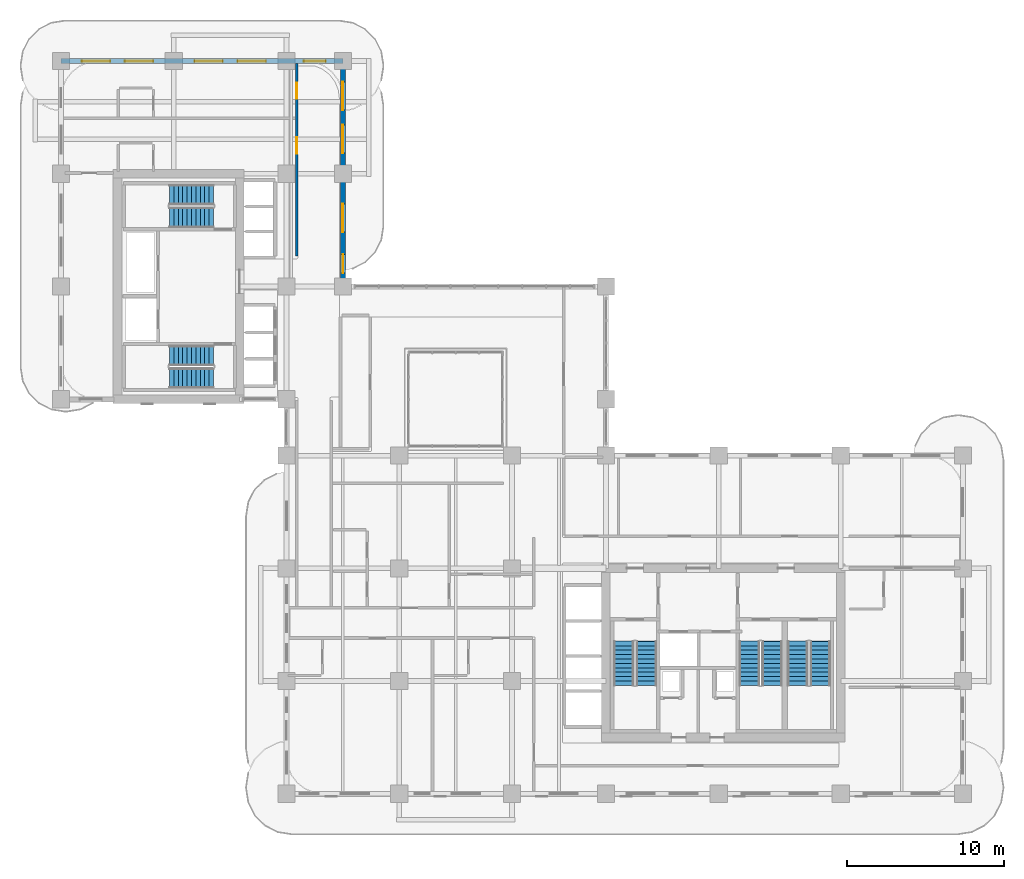
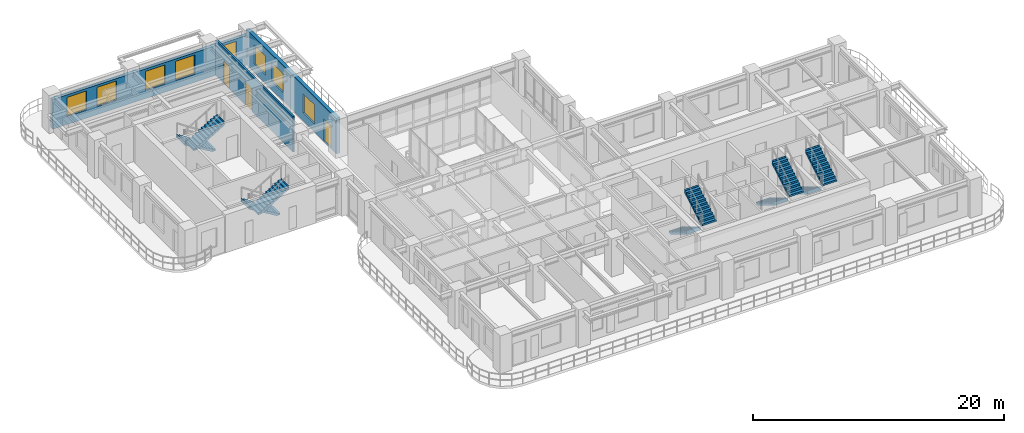
# One storey, part 17 of 22: 10 stair flights, 8 windows, 3 doors, 3 walls, 11 openings, 5 elements without a shape of their own.
"""IFC4 building model written with IfcOpenShell, lengths in metres."""

from ifc_helpers import new_model, si_unit, derived_unit, direction, frame, frame_2d, origin, place, context, subcontext, project, spatial, polyline, rectangle, outline, extrude, source, transform, mapped, material, layer, layer_set, type_object, type_shapes, element, fill, aggregate, save


model = new_model("IFC4")

# Units and contexts
model_context = context("Model", 3, precision=1e-05, world=origin(), true_north=direction((0.0, 1.0)))
body_context = subcontext(model_context, "Body", "Model", "MODEL_VIEW")
ifc_project = project(units=[si_unit("LENGTHUNIT", "METRE"), si_unit("AREAUNIT", "SQUARE_METRE"), si_unit("VOLUMEUNIT", "CUBIC_METRE"), si_unit("PLANEANGLEUNIT", "RADIAN"), si_unit("MASSUNIT", "GRAM", prefix="KILO"), si_unit("THERMODYNAMICTEMPERATUREUNIT", "KELVIN"), si_unit("POWERUNIT", "WATT"), derived_unit("THERMALTRANSMITTANCEUNIT", [(si_unit("POWERUNIT", "WATT"), 1), (si_unit("AREAUNIT", "SQUARE_METRE"), -1), (si_unit("THERMODYNAMICTEMPERATUREUNIT", "KELVIN"), -1)])], contexts=[model_context])

# Site, building, storey
site_placement = place(None, origin())
site = spatial("IfcSite", under=ifc_project, at=site_placement, CompositionType="ELEMENT")
building_placement = place(site_placement, origin())
building = spatial("IfcBuilding", under=site, at=building_placement, Name="Zahravan Archway Hotel and Residences", CompositionType="ELEMENT")
storey_placement = place(building_placement, frame((0.0, 0.0, 91.60009765625)))
storey = spatial("IfcBuildingStorey", under=building, at=storey_placement, Name="L22", CompositionType="ELEMENT", Elevation=91.60009765625)

# Wall, openings, windows
ifc_material_1 = material(Name="Agra Buff Sandstone & Insulated Backup", Category="masonry")
ifc_layer_1 = layer(ifc_material_1, 0.320068359375, Name="Agra Buff Sandstone & Insulated Backup", Category="masonry")
ifc_layer_set_1 = layer_set([ifc_layer_1], Name="Agra Buff Sandstone & Insulated Backup")
wall_type_1 = type_object("IfcWallType", Name="EW-SAND-320", PredefinedType="SOLIDWALL", material=ifc_layer_set_1)
wall_1_placement = place(storey_placement, frame((0.0, 46.800048828125, 0.0), z_axis=(0.0, 0.0, 1.0), x_axis=(1.0, 0.0, 0.0)))
wall_1 = element("IfcWall", 1, at=wall_1_placement, inside=storey, type_object=wall_type_1, Name="L22 Exterior Sandstone Wall WB-N", PredefinedType="SOLIDWALL", context=body_context, shape_type="SweptSolid", body=[
    extrude(rectangle(XDim=18.0, YDim=0.320068359375, at=frame_2d((9.0, 0.0))), origin(), (0.0, 0.0, 1.0), 2.885009765625),
])
opening_1_placement = place(wall_1_placement, frame((1.324951171875, 0.0, 0.800048828125)))
opening_1 = element("IfcOpeningElement", 2, at=opening_1_placement, cuts=wall_1, Name="Opening W-02", PredefinedType="OPENING", context=body_context, shape_type="SweptSolid", body=[
    extrude(rectangle(XDim=1.800048828125, YDim=1.85009765625, at=frame_2d((0.89990234375, 0.925048828125))), frame((0.0, 0.169921875, 0.0), z_axis=(0.0, -1.0, 0.0), x_axis=(1.0, 0.0, 0.0)), (0.0, 0.0, 1.0), 0.340087890625),
])
opening_2_placement = place(wall_1_placement, frame((4.074951171875, 0.0, 0.800048828125)))
opening_2 = element("IfcOpeningElement", 3, at=opening_2_placement, cuts=wall_1, Name="Opening W-02", PredefinedType="OPENING", context=body_context, shape_type="SweptSolid", body=[
    extrude(rectangle(XDim=1.800048828125, YDim=1.85009765625, at=frame_2d((0.89990234375, 0.925048828125))), frame((0.0, 0.169921875, 0.0), z_axis=(0.0, -1.0, 0.0), x_axis=(1.0, 0.0, 0.0)), (0.0, 0.0, 1.0), 0.340087890625),
])
opening_3_placement = place(wall_1_placement, frame((8.52490234375, 0.0, 0.800048828125)))
opening_3 = element("IfcOpeningElement", 4, at=opening_3_placement, cuts=wall_1, Name="Opening W-02", PredefinedType="OPENING", context=body_context, shape_type="SweptSolid", body=[
    extrude(rectangle(XDim=1.800048828125, YDim=1.85009765625, at=frame_2d((0.89990234375, 0.925048828125))), frame((0.0, 0.169921875, 0.0), z_axis=(0.0, -1.0, 0.0), x_axis=(1.0, 0.0, 0.0)), (0.0, 0.0, 1.0), 0.340087890625),
])
opening_4_placement = place(wall_1_placement, frame((11.27490234375, 0.0, 0.800048828125)))
opening_4 = element("IfcOpeningElement", 5, at=opening_4_placement, cuts=wall_1, Name="Opening W-02", PredefinedType="OPENING", context=body_context, shape_type="SweptSolid", body=[
    extrude(rectangle(XDim=1.800048828125, YDim=1.85009765625, at=frame_2d((0.89990234375, 0.925048828125))), frame((0.0, 0.169921875, 0.0), z_axis=(0.0, -1.0, 0.0), x_axis=(1.0, 0.0, 0.0)), (0.0, 0.0, 1.0), 0.340087890625),
])
opening_5_placement = place(wall_1_placement, frame((15.5, 0.0, 0.800048828125)))
opening_5 = element("IfcOpeningElement", 6, at=opening_5_placement, cuts=wall_1, Name="Opening W-03", PredefinedType="OPENING", context=body_context, shape_type="SweptSolid", body=[
    extrude(rectangle(XDim=1.39990234375, YDim=1.85009765625, at=frame_2d((0.699951171875, 0.925048828125))), frame((0.0, 0.169921875, 0.0), z_axis=(0.0, -1.0, 0.0), x_axis=(1.0, 0.0, 0.0)), (0.0, 0.0, 1.0), 0.340087890625),
])
ifc_material_2 = material(Name="Bronze-Anodized Thermal-Break Aluminium & Low-E Glass", Category="aluminium")
window_type_1 = type_object("IfcWindowType", Name="WIN-TWR-1400", PartitioningType="SINGLE_PANEL", PredefinedType="WINDOW", material=ifc_material_2)
shared_shape_1 = source(origin(), body_context, "Body", "SweptSolid", [
    extrude(rectangle(XDim=1.39990234375, YDim=1.85009765625, at=frame_2d((0.699951171875, 0.925048828125))), frame((0.0, 0.030029296875, 0.0), z_axis=(0.0, -1.0, 0.0), x_axis=(1.0, 0.0, 0.0)), (0.0, 0.0, 1.0), 0.06005859375),
])
type_shapes(window_type_1, [shared_shape_1])
window_1_placement = place(opening_5_placement, origin())
window_1 = element("IfcWindow", 7, at=window_1_placement, inside=storey, type_object=window_type_1, Name="L22 Loggia Window 37", OverallHeight=1.85009765625, OverallWidth=1.39990234375, PartitioningType="SINGLE_PANEL", PredefinedType="WINDOW", context=body_context, shape_type="MappedRepresentation", body=[
    mapped(shared_shape_1, transform((0.0, 0.0, 0.0), scale=1.0)),
])
fill(opening_5, window_1)
window_type_2 = type_object("IfcWindowType", Name="WIN-TWR-1800", PartitioningType="DOUBLE_PANEL_VERTICAL", PredefinedType="WINDOW", material=ifc_material_2)
shared_shape_2 = source(origin(), body_context, "Body", "SweptSolid", [
    extrude(rectangle(XDim=1.800048828125, YDim=1.85009765625, at=frame_2d((0.89990234375, 0.925048828125))), frame((0.0, 0.030029296875, 0.0), z_axis=(0.0, -1.0, 0.0), x_axis=(1.0, 0.0, 0.0)), (0.0, 0.0, 1.0), 0.06005859375),
])
type_shapes(window_type_2, [shared_shape_2])
window_2_placement = place(opening_1_placement, origin())
window_2 = element("IfcWindow", 8, at=window_2_placement, inside=storey, type_object=window_type_2, Name="L22 Loggia Window 33", OverallHeight=1.85009765625, OverallWidth=1.800048828125, PartitioningType="DOUBLE_PANEL_VERTICAL", PredefinedType="WINDOW", context=body_context, shape_type="MappedRepresentation", body=[
    mapped(shared_shape_2, transform((0.0, 0.0, 0.0), scale=1.0)),
])
fill(opening_1, window_2)
window_3_placement = place(opening_2_placement, origin())
window_3 = element("IfcWindow", 9, at=window_3_placement, inside=storey, type_object=window_type_2, Name="L22 Loggia Window 34", OverallHeight=1.85009765625, OverallWidth=1.800048828125, PartitioningType="DOUBLE_PANEL_VERTICAL", PredefinedType="WINDOW", context=body_context, shape_type="MappedRepresentation", body=[
    mapped(shared_shape_2, transform((0.0, 0.0, 0.0), scale=1.0)),
])
fill(opening_2, window_3)
window_4_placement = place(opening_3_placement, origin())
window_4 = element("IfcWindow", 10, at=window_4_placement, inside=storey, type_object=window_type_2, Name="L22 Loggia Window 35", OverallHeight=1.85009765625, OverallWidth=1.800048828125, PartitioningType="DOUBLE_PANEL_VERTICAL", PredefinedType="WINDOW", context=body_context, shape_type="MappedRepresentation", body=[
    mapped(shared_shape_2, transform((0.0, 0.0, 0.0), scale=1.0)),
])
fill(opening_3, window_4)
window_5_placement = place(opening_4_placement, origin())
window_5 = element("IfcWindow", 11, at=window_5_placement, inside=storey, type_object=window_type_2, Name="L22 Loggia Window 36", OverallHeight=1.85009765625, OverallWidth=1.800048828125, PartitioningType="DOUBLE_PANEL_VERTICAL", PredefinedType="WINDOW", context=body_context, shape_type="MappedRepresentation", body=[
    mapped(shared_shape_2, transform((0.0, 0.0, 0.0), scale=1.0)),
])
fill(opening_4, window_5)

# Wall, openings, door, windows
wall_2_placement = place(storey_placement, frame((18.0, 32.39990234375, 0.0), z_axis=(0.0, 0.0, 1.0), x_axis=(0.0, 1.0, 0.0)))
wall_2 = element("IfcWall", 12, at=wall_2_placement, inside=storey, type_object=wall_type_1, Name="L22 Exterior Sandstone Wall WB-EU", PredefinedType="SOLIDWALL", context=body_context, shape_type="SweptSolid", body=[
    extrude(rectangle(XDim=14.35009765625, YDim=0.320068359375, at=frame_2d((7.175048828125, 0.0))), origin(), (0.0, 0.0, 1.0), 3.449951171875),
])
opening_6_placement = place(wall_2_placement, frame((0.85009765625, 0.0, 0.0)))
opening_6 = element("IfcOpeningElement", 13, at=opening_6_placement, cuts=wall_2, Name="Opening ED-BL1", PredefinedType="OPENING", context=body_context, shape_type="SweptSolid", body=[
    extrude(rectangle(XDim=1.199951171875, YDim=2.199951171875, at=frame_2d((0.60009765625, 1.10009765625))), frame((0.0, 0.169921875, 0.0), z_axis=(0.0, -1.0, 0.0), x_axis=(1.0, 0.0, 0.0)), (0.0, 0.0, 1.0), 0.340087890625),
])
opening_7_placement = place(wall_2_placement, frame((3.47509765625, 0.0, 0.800048828125)))
opening_7 = element("IfcOpeningElement", 14, at=opening_7_placement, cuts=wall_2, Name="Opening W-02", PredefinedType="OPENING", context=body_context, shape_type="SweptSolid", body=[
    extrude(rectangle(XDim=1.800048828125, YDim=1.85009765625, at=frame_2d((0.89990234375, 0.925048828125))), frame((0.0, 0.169921875, 0.0), z_axis=(0.0, -1.0, 0.0), x_axis=(1.0, 0.0, 0.0)), (0.0, 0.0, 1.0), 0.340087890625),
])
opening_8_placement = place(wall_2_placement, frame((8.52490234375, 0.0, 0.800048828125)))
opening_8 = element("IfcOpeningElement", 15, at=opening_8_placement, cuts=wall_2, Name="Opening W-02", PredefinedType="OPENING", context=body_context, shape_type="SweptSolid", body=[
    extrude(rectangle(XDim=1.800048828125, YDim=1.85009765625, at=frame_2d((0.89990234375, 0.925048828125))), frame((0.0, 0.169921875, 0.0), z_axis=(0.0, -1.0, 0.0), x_axis=(1.0, 0.0, 0.0)), (0.0, 0.0, 1.0), 0.340087890625),
])
opening_9_placement = place(wall_2_placement, frame((11.27490234375, 0.0, 0.800048828125)))
opening_9 = element("IfcOpeningElement", 16, at=opening_9_placement, cuts=wall_2, Name="Opening W-02", PredefinedType="OPENING", context=body_context, shape_type="SweptSolid", body=[
    extrude(rectangle(XDim=1.800048828125, YDim=1.85009765625, at=frame_2d((0.89990234375, 0.925048828125))), frame((0.0, 0.169921875, 0.0), z_axis=(0.0, -1.0, 0.0), x_axis=(1.0, 0.0, 0.0)), (0.0, 0.0, 1.0), 0.340087890625),
])
ifc_material_3 = material(Name="Bronze-Anodized Glazed Aluminium", Category="aluminium")
door_type_1 = type_object("IfcDoorType", Name="ED-BALC-1200", OperationType="SLIDING_TO_LEFT", PredefinedType="DOOR", material=ifc_material_3)
shared_shape_3 = source(origin(), body_context, "Body", "SweptSolid", [
    extrude(rectangle(XDim=1.199951171875, YDim=2.199951171875, at=frame_2d((0.60009765625, 1.10009765625))), frame((0.0, 0.02490234375, 0.0), z_axis=(0.0, -1.0, 0.0), x_axis=(1.0, 0.0, 0.0)), (0.0, 0.0, 1.0), 0.050048828125),
])
type_shapes(door_type_1, [shared_shape_3])
door_1_placement = place(opening_6_placement, origin())
door_1 = element("IfcDoor", 17, at=door_1_placement, inside=storey, type_object=door_type_1, Name="L22 Outdoor Access Sliding Door (SLB-BAL-L22-EB)", OperationType="SLIDING_TO_LEFT", OverallHeight=2.199951171875, OverallWidth=1.199951171875, PredefinedType="DOOR", context=body_context, shape_type="MappedRepresentation", body=[
    mapped(shared_shape_3, transform((0.0, 0.0, 0.0), scale=1.0)),
])
fill(opening_6, door_1)
window_6_placement = place(opening_7_placement, origin())
window_6 = element("IfcWindow", 18, at=window_6_placement, inside=storey, type_object=window_type_2, Name="L22 Loggia Window 38", OverallHeight=1.85009765625, OverallWidth=1.800048828125, PartitioningType="DOUBLE_PANEL_VERTICAL", PredefinedType="WINDOW", context=body_context, shape_type="MappedRepresentation", body=[
    mapped(shared_shape_2, transform((0.0, 0.0, 0.0), scale=1.0)),
])
fill(opening_7, window_6)
window_7_placement = place(opening_8_placement, origin())
window_7 = element("IfcWindow", 19, at=window_7_placement, inside=storey, type_object=window_type_2, Name="L22 Loggia Window 39", OverallHeight=1.85009765625, OverallWidth=1.800048828125, PartitioningType="DOUBLE_PANEL_VERTICAL", PredefinedType="WINDOW", context=body_context, shape_type="MappedRepresentation", body=[
    mapped(shared_shape_2, transform((0.0, 0.0, 0.0), scale=1.0)),
])
fill(opening_8, window_7)
window_8_placement = place(opening_9_placement, origin())
window_8 = element("IfcWindow", 20, at=window_8_placement, inside=storey, type_object=window_type_2, Name="L22 Loggia Window 40", OverallHeight=1.85009765625, OverallWidth=1.800048828125, PartitioningType="DOUBLE_PANEL_VERTICAL", PredefinedType="WINDOW", context=body_context, shape_type="MappedRepresentation", body=[
    mapped(shared_shape_2, transform((0.0, 0.0, 0.0), scale=1.0)),
])
fill(opening_9, window_8)

# Wall, openings, doors
ifc_material_4 = material(Name="Fire-Rated Gypsum & Concrete Block", Category="concrete")
ifc_layer_2 = layer(ifc_material_4, 0.159912109375, Name="Fire-Rated Gypsum & Concrete Block", Category="concrete")
ifc_layer_set_2 = layer_set([ifc_layer_2], Name="Fire-Rated Gypsum & Concrete Block")
wall_type_2 = type_object("IfcWallType", Name="PW-CORR-160", PredefinedType="PARTITIONING", material=ifc_layer_set_2)
wall_3_placement = place(storey_placement, frame((15.050048828125, 34.340087890625, 0.0), z_axis=(0.0, 0.0, 1.0), x_axis=(0.0, 1.0, 0.0)))
wall_3 = element("IfcWall", 21, at=wall_3_placement, inside=storey, type_object=wall_type_2, Name="L22 Partition WBN-C", PredefinedType="PARTITIONING", context=body_context, shape_type="SweptSolid", body=[
    extrude(rectangle(XDim=12.2919921875, YDim=0.159912109375, at=frame_2d((6.14599609375, 0.0))), origin(), (0.0, 0.0, 1.0), 3.449951171875),
])
opening_10_placement = place(wall_3_placement, frame((6.534912109375, 0.0, 0.0)))
opening_10 = element("IfcOpeningElement", 22, at=opening_10_placement, cuts=wall_3, Name="Opening D-U1", PredefinedType="OPENING", context=body_context, shape_type="SweptSolid", body=[
    extrude(rectangle(XDim=1.050048828125, YDim=2.25, at=frame_2d((0.52490234375, 1.125))), frame((0.0, 0.08984375, 0.0), z_axis=(0.0, -1.0, 0.0), x_axis=(1.0, 0.0, 0.0)), (0.0, 0.0, 1.0), 0.179931640625),
])
opening_11_placement = place(wall_3_placement, frame((10.06005859375, 0.0, 0.0)))
opening_11 = element("IfcOpeningElement", 23, at=opening_11_placement, cuts=wall_3, Name="Opening D-U2", PredefinedType="OPENING", context=body_context, shape_type="SweptSolid", body=[
    extrude(rectangle(XDim=1.0, YDim=2.199951171875, at=frame_2d((0.5, 1.10009765625))), frame((0.0, 0.08984375, 0.0), z_axis=(0.0, -1.0, 0.0), x_axis=(1.0, 0.0, 0.0)), (0.0, 0.0, 1.0), 0.179931640625),
])
ifc_material_5 = material(Name="Hardwood Veneer Timber", Category="wood")
door_type_2 = type_object("IfcDoorType", Name="ID-UNIT-1050", OperationType="NOTDEFINED", PredefinedType="DOOR", material=ifc_material_5)
shared_shape_4 = source(origin(), body_context, "Body", "SweptSolid", [
    extrude(rectangle(XDim=1.050048828125, YDim=2.25, at=frame_2d((0.52490234375, 1.125))), frame((0.0, 0.02490234375, 0.0), z_axis=(0.0, -1.0, 0.0), x_axis=(1.0, 0.0, 0.0)), (0.0, 0.0, 1.0), 0.050048828125),
])
type_shapes(door_type_2, [shared_shape_4])
door_2_placement = place(opening_10_placement, origin())
door_2 = element("IfcDoor", 24, at=door_2_placement, inside=storey, type_object=door_type_2, Name="L22 Hotel Guestroom 76 Entrance Door", OperationType="SINGLE_SWING_RIGHT", OverallHeight=2.25, OverallWidth=1.050048828125, PredefinedType="DOOR", context=body_context, shape_type="MappedRepresentation", body=[
    mapped(shared_shape_4, transform((0.0, 0.0, 0.0), scale=1.0)),
])
fill(opening_10, door_2)
door_type_3 = type_object("IfcDoorType", Name="ID-UNIT-1000", OperationType="NOTDEFINED", PredefinedType="DOOR", material=ifc_material_5)
shared_shape_5 = source(origin(), body_context, "Body", "SweptSolid", [
    extrude(rectangle(XDim=1.0, YDim=2.199951171875, at=frame_2d((0.5, 1.10009765625))), frame((0.0, 0.02490234375, 0.0), z_axis=(0.0, -1.0, 0.0), x_axis=(1.0, 0.0, 0.0)), (0.0, 0.0, 1.0), 0.050048828125),
])
type_shapes(door_type_3, [shared_shape_5])
door_3_placement = place(opening_11_placement, origin())
door_3 = element("IfcDoor", 25, at=door_3_placement, inside=storey, type_object=door_type_3, Name="L22 Hotel Guestroom 77 Entrance Door", OperationType="SINGLE_SWING_LEFT", OverallHeight=2.199951171875, OverallWidth=1.0, PredefinedType="DOOR", context=body_context, shape_type="MappedRepresentation", body=[
    mapped(shared_shape_5, transform((0.0, 0.0, 0.0), scale=1.0)),
])
fill(opening_11, door_3)

# Stair, stair flights
ifc_material_6 = material(Name="Concrete C50/60", Category="concrete")
stair_type = type_object("IfcStairType", Name="STR-CORE-1300", PredefinedType="HALF_TURN_STAIR", material=ifc_material_6)
stair_1_placement = place(storey_placement, origin())
stair_1 = element("IfcStair", 26, at=stair_1_placement, inside=storey, type_object=stair_type, Name="L22 Core A Exit Stair 1", PredefinedType="HALF_TURN_STAIR")
ifc_layer_3 = layer(ifc_material_6, 0.199951171875, Name="Concrete C50/60", Category="concrete")
ifc_layer_set_3 = layer_set([ifc_layer_3], Name="Concrete C50/60")
stair_flight_type = type_object("IfcStairFlightType", Name="SFL-CORE-1300", PredefinedType="STRAIGHT", material=ifc_layer_set_3)
shared_shape_6 = source(origin(), body_context, "Body", "SweptSolid", [
    extrude(outline(polyline([(-0.01611328125, 0.0), (-0.01611328125, 0.168212890625), (0.280029296875, 0.168212890625), (0.280029296875, 0.33642578125), (0.56005859375, 0.33642578125), (0.56005859375, 0.504638671875), (0.840087890625, 0.504638671875), (0.840087890625, 0.672607421875), (1.1201171875, 0.672607421875), (1.1201171875, 0.8408203125), (1.39990234375, 0.8408203125), (1.39990234375, 1.009033203125), (1.679931640625, 1.009033203125), (1.679931640625, 1.17724609375), (1.9599609375, 1.17724609375), (1.9599609375, 1.345458984375), (2.239990234375, 1.345458984375), (2.239990234375, 1.513671875), (2.52001953125, 1.513671875), (2.52001953125, 1.681884765625), (2.800048828125, 1.681884765625), (2.800048828125, 1.85009765625), (2.816162109375, 1.85009765625), (2.816162109375, 1.5068359375), (0.291015625, 0.0), (-0.01611328125, 0.0)])), frame((0.0, 0.64990234375, 0.0), z_axis=(0.0, -1.0, 0.0), x_axis=(1.0, 0.0, 0.0)), (0.0, 0.0, 1.0), 1.300048828125),
])
stair_flight_1_placement = place(storey_placement, frame((35.949951171875, 9.72998046875, 0.0), z_axis=(0.0, 0.0, 1.0), x_axis=(0.0, -1.0, 0.0)))
stair_flight_1 = element("IfcStairFlight", 27, at=stair_flight_1_placement, type_object=stair_flight_type, Name="ST-A1 flight 1", NumberOfRisers=11, NumberOfTreads=10, PredefinedType="STRAIGHT", RiserHeight=0.168181818, TreadLength=0.28, context=body_context, shape_type="MappedRepresentation", body=[
    mapped(shared_shape_6, transform((0.0, 0.0, 0.0), scale=1.0)),
])
stair_flight_2_placement = place(storey_placement, frame((37.389892578125, 6.929931640625, 1.849853515625), z_axis=(0.0, 0.0, 1.0), x_axis=(0.0, 1.0, 0.0)))
stair_flight_2 = element("IfcStairFlight", 28, at=stair_flight_2_placement, type_object=stair_flight_type, Name="ST-A1 flight 2", NumberOfRisers=11, NumberOfTreads=10, PredefinedType="STRAIGHT", RiserHeight=0.168181818, TreadLength=0.28, context=body_context, shape_type="MappedRepresentation", body=[
    mapped(shared_shape_6, transform((0.0, 0.0, 0.0), scale=1.0)),
])
aggregate(stair_1, [stair_flight_1, stair_flight_2])

stair_2_placement = place(storey_placement, origin())
stair_2 = element("IfcStair", 29, at=stair_2_placement, inside=storey, type_object=stair_type, Name="L22 Core A Exit Stair 2", PredefinedType="HALF_TURN_STAIR")
stair_flight_3_placement = place(storey_placement, frame((43.969970703125, 9.72998046875, 0.0), z_axis=(0.0, 0.0, 1.0), x_axis=(0.0, -1.0, 0.0)))
stair_flight_3 = element("IfcStairFlight", 30, at=stair_flight_3_placement, type_object=stair_flight_type, Name="ST-A2 flight 1", NumberOfRisers=11, NumberOfTreads=10, PredefinedType="STRAIGHT", RiserHeight=0.168181818, TreadLength=0.28, context=body_context, shape_type="MappedRepresentation", body=[
    mapped(shared_shape_6, transform((0.0, 0.0, 0.0), scale=1.0)),
])
stair_flight_4_placement = place(storey_placement, frame((45.409912109375, 6.929931640625, 1.849853515625), z_axis=(0.0, 0.0, 1.0), x_axis=(0.0, 1.0, 0.0)))
stair_flight_4 = element("IfcStairFlight", 31, at=stair_flight_4_placement, type_object=stair_flight_type, Name="ST-A2 flight 2", NumberOfRisers=11, NumberOfTreads=10, PredefinedType="STRAIGHT", RiserHeight=0.168181818, TreadLength=0.28, context=body_context, shape_type="MappedRepresentation", body=[
    mapped(shared_shape_6, transform((0.0, 0.0, 0.0), scale=1.0)),
])
aggregate(stair_2, [stair_flight_3, stair_flight_4])

stair_3_placement = place(storey_placement, origin())
stair_3 = element("IfcStair", 32, at=stair_3_placement, inside=storey, type_object=stair_type, Name="L22 Core A Exit Stair 3", PredefinedType="HALF_TURN_STAIR")
stair_flight_5_placement = place(storey_placement, frame((47.050048828125, 9.72998046875, 0.0), z_axis=(0.0, 0.0, 1.0), x_axis=(0.0, -1.0, 0.0)))
stair_flight_5 = element("IfcStairFlight", 33, at=stair_flight_5_placement, type_object=stair_flight_type, Name="ST-A3 flight 1", NumberOfRisers=11, NumberOfTreads=10, PredefinedType="STRAIGHT", RiserHeight=0.168181818, TreadLength=0.28, context=body_context, shape_type="MappedRepresentation", body=[
    mapped(shared_shape_6, transform((0.0, 0.0, 0.0), scale=1.0)),
])
stair_flight_6_placement = place(storey_placement, frame((48.489990234375, 6.929931640625, 1.849853515625), z_axis=(0.0, 0.0, 1.0), x_axis=(0.0, 1.0, 0.0)))
stair_flight_6 = element("IfcStairFlight", 34, at=stair_flight_6_placement, type_object=stair_flight_type, Name="ST-A3 flight 2", NumberOfRisers=11, NumberOfTreads=10, PredefinedType="STRAIGHT", RiserHeight=0.168181818, TreadLength=0.28, context=body_context, shape_type="MappedRepresentation", body=[
    mapped(shared_shape_6, transform((0.0, 0.0, 0.0), scale=1.0)),
])
aggregate(stair_3, [stair_flight_5, stair_flight_6])

stair_4_placement = place(storey_placement, origin())
stair_4 = element("IfcStair", 35, at=stair_4_placement, inside=storey, type_object=stair_type, Name="L22 Core B Exit Stair 1", PredefinedType="HALF_TURN_STAIR")
stair_flight_7_placement = place(storey_placement, frame((9.72998046875, 27.989990234375, 0.0), z_axis=(0.0, 0.0, 1.0), x_axis=(-1.0, 0.0, 0.0)))
stair_flight_7 = element("IfcStairFlight", 36, at=stair_flight_7_placement, type_object=stair_flight_type, Name="ST-B1 flight 1", NumberOfRisers=11, NumberOfTreads=10, PredefinedType="STRAIGHT", RiserHeight=0.168181818, TreadLength=0.28, context=body_context, shape_type="MappedRepresentation", body=[
    mapped(shared_shape_6, transform((0.0, 0.0, 0.0), scale=1.0)),
])
stair_flight_8_placement = place(storey_placement, frame((6.929931640625, 26.550048828125, 1.849853515625), z_axis=(0.0, 0.0, 1.0), x_axis=(1.0, 0.0, 0.0)))
stair_flight_8 = element("IfcStairFlight", 37, at=stair_flight_8_placement, type_object=stair_flight_type, Name="ST-B1 flight 2", NumberOfRisers=11, NumberOfTreads=10, PredefinedType="STRAIGHT", RiserHeight=0.168181818, TreadLength=0.28, context=body_context, shape_type="MappedRepresentation", body=[
    mapped(shared_shape_6, transform((0.0, 0.0, 0.0), scale=1.0)),
])
aggregate(stair_4, [stair_flight_7, stair_flight_8])

stair_5_placement = place(storey_placement, origin())
stair_5 = element("IfcStair", 38, at=stair_5_placement, inside=storey, type_object=stair_type, Name="L22 Core B Exit Stair 2", PredefinedType="HALF_TURN_STAIR")
stair_flight_9_placement = place(storey_placement, frame((9.72998046875, 38.25, 0.0), z_axis=(0.0, 0.0, 1.0), x_axis=(-1.0, 0.0, 0.0)))
stair_flight_9 = element("IfcStairFlight", 39, at=stair_flight_9_placement, type_object=stair_flight_type, Name="ST-B2 flight 1", NumberOfRisers=11, NumberOfTreads=10, PredefinedType="STRAIGHT", RiserHeight=0.168181818, TreadLength=0.28, context=body_context, shape_type="MappedRepresentation", body=[
    mapped(shared_shape_6, transform((0.0, 0.0, 0.0), scale=1.0)),
])
stair_flight_10_placement = place(storey_placement, frame((6.929931640625, 36.81005859375, 1.849853515625), z_axis=(0.0, 0.0, 1.0), x_axis=(1.0, 0.0, 0.0)))
stair_flight_10 = element("IfcStairFlight", 40, at=stair_flight_10_placement, type_object=stair_flight_type, Name="ST-B2 flight 2", NumberOfRisers=11, NumberOfTreads=10, PredefinedType="STRAIGHT", RiserHeight=0.168181818, TreadLength=0.28, context=body_context, shape_type="MappedRepresentation", body=[
    mapped(shared_shape_6, transform((0.0, 0.0, 0.0), scale=1.0)),
])
aggregate(stair_5, [stair_flight_9, stair_flight_10])

save(model, "model.ifc")
